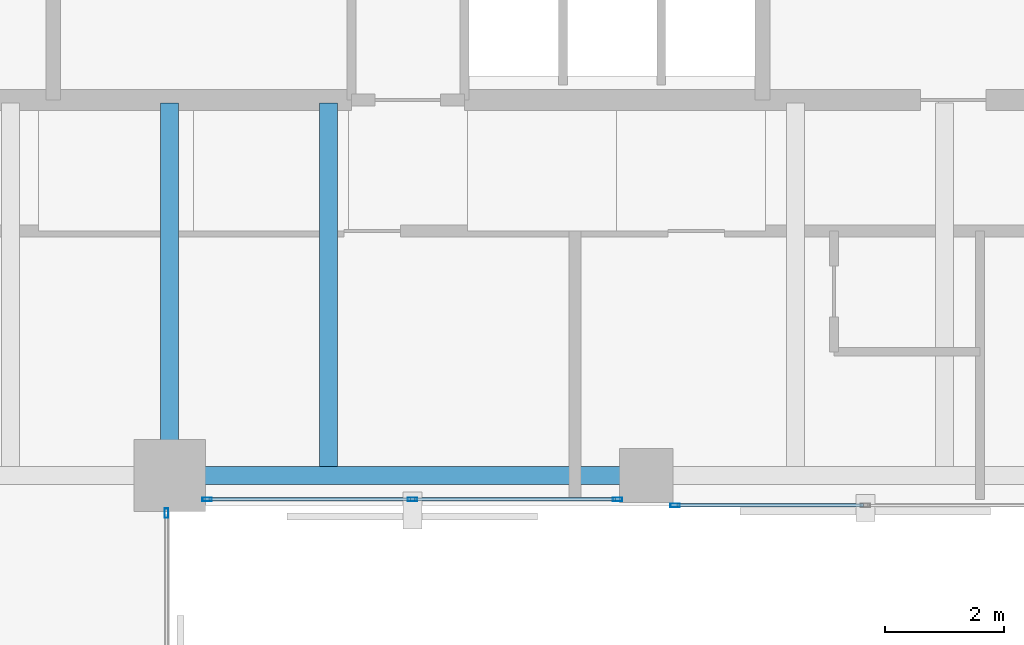
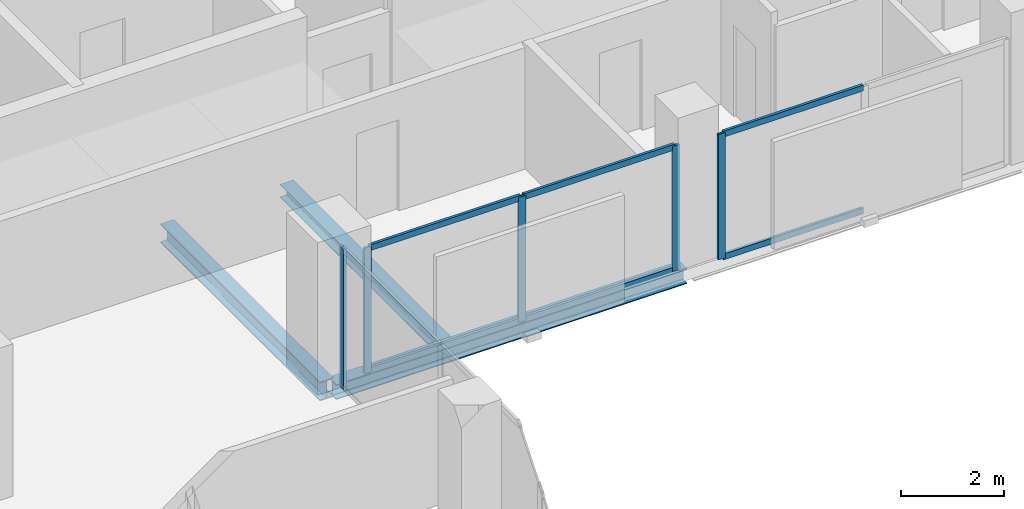
# One storey, part 13 of 34: 11 members, 3 beams, 3 elements without a shape of their own.
"""IFC4 building model written with IfcOpenShell, lengths in metres."""

from ifc_helpers import new_model, si_unit, direction, frame, origin, origin_2d, place, context, subcontext, project, spatial, hollow_rectangle, i_section, extrude, material, layer, layer_set, material_profile, profile_set, type_object, element, aggregate, save


model = new_model("IFC4")

# Units and contexts
model_context = context("Model", 3, precision=1e-05, world=origin(), true_north=direction((0.0, 1.0)))
body_context = subcontext(model_context, "Body", "Model", "MODEL_VIEW")
ifc_project = project(units=[si_unit("LENGTHUNIT", "METRE"), si_unit("AREAUNIT", "SQUARE_METRE"), si_unit("VOLUMEUNIT", "CUBIC_METRE"), si_unit("PLANEANGLEUNIT", "RADIAN"), si_unit("MASSUNIT", "GRAM", prefix="KILO")], contexts=[model_context])

# Site, building, storey
site_placement = place(None, origin())
site = spatial("IfcSite", under=ifc_project, at=site_placement, CompositionType="ELEMENT")
building_placement = place(site_placement, origin())
building = spatial("IfcBuilding", under=site, at=building_placement, Name="Catumbela Crestline Tower", CompositionType="ELEMENT")
storey_placement = place(building_placement, frame((0.0, 0.0, 115.2)))
storey = spatial("IfcBuildingStorey", under=building, at=storey_placement, Name="L29", CompositionType="ELEMENT", Elevation=115.2)

# Beams
ifc_material_1 = material(Name="Structural steel S355J2", Category="steel")
ifc_material_profile_1 = material_profile(ifc_material_1, i_section(OverallWidth=0.3, OverallDepth=0.45, WebThickness=0.014, FlangeThickness=0.026, FilletRadius=0.027, at=origin_2d()), Name="HEB 450")
ifc_profile_set_1 = profile_set([ifc_material_profile_1], Name="Structural steel S355J2")
beam_type_1 = type_object("IfcBeamType", Name="BG-HEB450", PredefinedType="BEAM", material=ifc_profile_set_1)
beam_1_placement = place(storey_placement, frame((24.0, 24.58, -0.485), z_axis=(0.0, 1.0, 0.0), x_axis=(-1.0, 0.0, 0.0)))
element("IfcBeam", 1, at=beam_1_placement, inside=storey, type_object=beam_type_1, Name="L29 Beam BM-L29-SNS29", PredefinedType="BEAM", context=body_context, shape_type="SweptSolid", body=[
    extrude(i_section(OverallWidth=0.3, OverallDepth=0.45, WebThickness=0.014, FlangeThickness=0.026, FilletRadius=0.027, at=origin_2d()), origin(), (0.0, 0.0, 1.0), 6.17),
])
ifc_material_profile_2 = material_profile(ifc_material_1, i_section(OverallWidth=0.3, OverallDepth=0.31, WebThickness=0.009, FlangeThickness=0.0155, FilletRadius=0.027, at=origin_2d()), Name="HEA 320")
ifc_profile_set_2 = profile_set([ifc_material_profile_2], Name="Structural steel S355J2")
beam_type_2 = type_object("IfcBeamType", Name="BJ-HEA320", PredefinedType="JOIST", material=ifc_profile_set_2)
beam_2_placement = place(storey_placement, frame((26.667, 24.647, -0.415), z_axis=(0.0, 1.0, 0.0), x_axis=(-1.0, 0.0, 0.0)))
element("IfcBeam", 2, at=beam_2_placement, inside=storey, type_object=beam_type_2, Name="L29 Joist JS-L29-SP39", PredefinedType="JOIST", context=body_context, shape_type="SweptSolid", body=[
    extrude(i_section(OverallWidth=0.3, OverallDepth=0.31, WebThickness=0.009, FlangeThickness=0.0155, FilletRadius=0.027, at=origin_2d()), origin(), (0.0, 0.0, 1.0), 6.103),
])

# Curtain wall, member
ifc_material_2 = material(Name="Aluminium alloy AW-6060-T66", Category="aluminium")
ifc_layer = layer(ifc_material_2, 0.18, Name="Aluminium alloy AW-6060-T66")
ifc_layer_set = layer_set([ifc_layer], Name="Aluminium alloy AW-6060-T66")
curtain_wall_type = type_object("IfcCurtainWallType", Name="CWU-Z2", PredefinedType="USERDEFINED", material=ifc_layer_set)
curtain_wall_1_placement = place(storey_placement, origin())
curtain_wall_1 = element("IfcCurtainWall", 3, at=curtain_wall_1_placement, inside=storey, type_object=curtain_wall_type, Name="L29 Unitised Curtain Wall CW-L29-E2S1", ObjectType="UNITISED", PredefinedType="USERDEFINED")
ifc_material_profile_3 = material_profile(ifc_material_2, hollow_rectangle(XDim=0.06, YDim=0.16, WallThickness=0.004, at=origin_2d()), Name="ALU 160x60x4")
ifc_profile_set_3 = profile_set([ifc_material_profile_3], Name="Aluminium alloy AW-6060-T66")
member_type_1 = type_object("IfcMemberType", Name="MUL-160X60", PredefinedType="MULLION", material=ifc_profile_set_3)
member_1_placement = place(storey_placement, frame((23.95, 23.8675, 0.0), z_axis=(0.0, 0.0, 1.0), x_axis=(-1.0, 0.0, 0.0)))
member_1 = element("IfcMember", 4, at=member_1_placement, type_object=member_type_1, Name="CWU-Z2 mullion 5", PredefinedType="MULLION", context=body_context, shape_type="SweptSolid", body=[
    extrude(hollow_rectangle(XDim=0.06, YDim=0.16, WallThickness=0.004, at=origin_2d()), origin(), (0.0, 0.0, 1.0), 3.33),
])
aggregate(curtain_wall_1, [member_1])

# Curtain wall, members
curtain_wall_2_placement = place(storey_placement, origin())
curtain_wall_2 = element("IfcCurtainWall", 5, at=curtain_wall_2_placement, inside=storey, type_object=curtain_wall_type, Name="L29 Unitised Curtain Wall CW-L29-E3S1", ObjectType="UNITISED", PredefinedType="USERDEFINED")
member_2_placement = place(storey_placement, frame((24.6325, 24.1, 0.0), z_axis=(0.0, 0.0, 1.0), x_axis=(0.0, 1.0, 0.0)))
member_2 = element("IfcMember", 6, at=member_2_placement, type_object=member_type_1, Name="CWU-Z2 mullion 1", PredefinedType="MULLION", context=body_context, shape_type="SweptSolid", body=[
    extrude(hollow_rectangle(XDim=0.06, YDim=0.16, WallThickness=0.004, at=origin_2d()), origin(), (0.0, 0.0, 1.0), 2.96),
])
member_3_placement = place(storey_placement, frame((28.075, 24.1, 0.0), z_axis=(0.0, 0.0, 1.0), x_axis=(0.0, 1.0, 0.0)))
member_3 = element("IfcMember", 7, at=member_3_placement, type_object=member_type_1, Name="CWU-Z2 mullion 2", PredefinedType="MULLION", context=body_context, shape_type="SweptSolid", body=[
    extrude(hollow_rectangle(XDim=0.06, YDim=0.16, WallThickness=0.004, at=origin_2d()), origin(), (0.0, 0.0, 1.0), 2.96),
])
member_4_placement = place(storey_placement, frame((31.5175, 24.1, 0.0), z_axis=(0.0, 0.0, 1.0), x_axis=(0.0, 1.0, 0.0)))
member_4 = element("IfcMember", 8, at=member_4_placement, type_object=member_type_1, Name="CWU-Z2 mullion 3", PredefinedType="MULLION", context=body_context, shape_type="SweptSolid", body=[
    extrude(hollow_rectangle(XDim=0.06, YDim=0.16, WallThickness=0.004, at=origin_2d()), origin(), (0.0, 0.0, 1.0), 2.96),
])

# Curtain wall, member
curtain_wall_3_placement = place(storey_placement, origin())
curtain_wall_3 = element("IfcCurtainWall", 9, at=curtain_wall_3_placement, inside=storey, type_object=curtain_wall_type, Name="L29 Unitised Curtain Wall CW-L29-E3S2", ObjectType="UNITISED", PredefinedType="USERDEFINED")
member_5_placement = place(storey_placement, frame((32.4825, 24.0, 0.0), z_axis=(0.0, 0.0, 1.0), x_axis=(0.0, 1.0, 0.0)))
member_5 = element("IfcMember", 10, at=member_5_placement, type_object=member_type_1, Name="CWU-Z2 mullion 1", PredefinedType="MULLION", context=body_context, shape_type="SweptSolid", body=[
    extrude(hollow_rectangle(XDim=0.06, YDim=0.16, WallThickness=0.004, at=origin_2d()), origin(), (0.0, 0.0, 1.0), 2.96),
])

# Beam
ifc_material_profile_4 = material_profile(ifc_material_1, i_section(OverallWidth=0.3, OverallDepth=0.36, WebThickness=0.0125, FlangeThickness=0.0225, FilletRadius=0.027, at=origin_2d()), Name="HEB 360")
ifc_profile_set_4 = profile_set([ifc_material_profile_4], Name="Structural steel S355J2")
beam_type_3 = type_object("IfcBeamType", Name="BS-HEB360", PredefinedType="SPANDREL", material=ifc_profile_set_4)
beam_3_placement = place(storey_placement, frame((24.08, 24.5, -0.44), z_axis=(1.0, 0.0, 0.0), x_axis=(0.0, 1.0, 0.0)))
element("IfcBeam", 11, at=beam_3_placement, inside=storey, type_object=beam_type_3, Name="L29 Spandrel SP-L29-S05", PredefinedType="SPANDREL", context=body_context, shape_type="SweptSolid", body=[
    extrude(i_section(OverallWidth=0.3, OverallDepth=0.36, WebThickness=0.0125, FlangeThickness=0.0225, FilletRadius=0.027, at=origin_2d()), origin(), (0.0, 0.0, 1.0), 7.84),
])

# Member
ifc_material_profile_5 = material_profile(ifc_material_2, hollow_rectangle(XDim=0.06, YDim=0.14, WallThickness=0.004, at=origin_2d()), Name="ALU 140x60x4")
ifc_profile_set_5 = profile_set([ifc_material_profile_5], Name="Aluminium alloy AW-6060-T66")
member_type_2 = type_object("IfcMemberType", Name="TRN-140X60", PredefinedType="USERDEFINED", material=ifc_profile_set_5)
member_6_placement = place(storey_placement, frame((24.665, 24.1, 0.03), z_axis=(1.0, 0.0, 0.0), x_axis=(0.0, 1.0, 0.0)))
member_6 = element("IfcMember", 12, at=member_6_placement, type_object=member_type_2, Name="CWU-Z2 transom 1.1", ObjectType="TRANSOM", PredefinedType="USERDEFINED", context=body_context, shape_type="SweptSolid", body=[
    extrude(hollow_rectangle(XDim=0.06, YDim=0.14, WallThickness=0.004, at=origin_2d()), origin(), (0.0, 0.0, 1.0), 3.3775),
])

member_7_placement = place(storey_placement, frame((24.665, 24.1, 2.93), z_axis=(1.0, 0.0, 0.0), x_axis=(0.0, 1.0, 0.0)))
member_7 = element("IfcMember", 13, at=member_7_placement, type_object=member_type_2, Name="CWU-Z2 transom 1.2", ObjectType="TRANSOM", PredefinedType="USERDEFINED", context=body_context, shape_type="SweptSolid", body=[
    extrude(hollow_rectangle(XDim=0.06, YDim=0.14, WallThickness=0.004, at=origin_2d()), origin(), (0.0, 0.0, 1.0), 3.3775),
])

member_8_placement = place(storey_placement, frame((28.1075, 24.1, 0.03), z_axis=(1.0, 0.0, 0.0), x_axis=(0.0, 1.0, 0.0)))
member_8 = element("IfcMember", 14, at=member_8_placement, type_object=member_type_2, Name="CWU-Z2 transom 2.1", ObjectType="TRANSOM", PredefinedType="USERDEFINED", context=body_context, shape_type="SweptSolid", body=[
    extrude(hollow_rectangle(XDim=0.06, YDim=0.14, WallThickness=0.004, at=origin_2d()), origin(), (0.0, 0.0, 1.0), 3.3775),
])

member_9_placement = place(storey_placement, frame((28.1075, 24.1, 2.93), z_axis=(1.0, 0.0, 0.0), x_axis=(0.0, 1.0, 0.0)))
member_9 = element("IfcMember", 15, at=member_9_placement, type_object=member_type_2, Name="CWU-Z2 transom 2.2", ObjectType="TRANSOM", PredefinedType="USERDEFINED", context=body_context, shape_type="SweptSolid", body=[
    extrude(hollow_rectangle(XDim=0.06, YDim=0.14, WallThickness=0.004, at=origin_2d()), origin(), (0.0, 0.0, 1.0), 3.3775),
])

aggregate(curtain_wall_2, [member_2, member_3, member_4, member_6, member_7, member_8, member_9])

member_10_placement = place(storey_placement, frame((32.515, 24.0, 0.03), z_axis=(1.0, 0.0, 0.0), x_axis=(0.0, 1.0, 0.0)))
member_10 = element("IfcMember", 16, at=member_10_placement, type_object=member_type_2, Name="CWU-Z2 transom 1.1", ObjectType="TRANSOM", PredefinedType="USERDEFINED", context=body_context, shape_type="SweptSolid", body=[
    extrude(hollow_rectangle(XDim=0.06, YDim=0.14, WallThickness=0.004, at=origin_2d()), origin(), (0.0, 0.0, 1.0), 3.1275),
])

member_11_placement = place(storey_placement, frame((32.515, 24.0, 2.93), z_axis=(1.0, 0.0, 0.0), x_axis=(0.0, 1.0, 0.0)))
member_11 = element("IfcMember", 17, at=member_11_placement, type_object=member_type_2, Name="CWU-Z2 transom 1.2", ObjectType="TRANSOM", PredefinedType="USERDEFINED", context=body_context, shape_type="SweptSolid", body=[
    extrude(hollow_rectangle(XDim=0.06, YDim=0.14, WallThickness=0.004, at=origin_2d()), origin(), (0.0, 0.0, 1.0), 3.1275),
])

aggregate(curtain_wall_3, [member_5, member_10, member_11])

save(model, "model.ifc")
